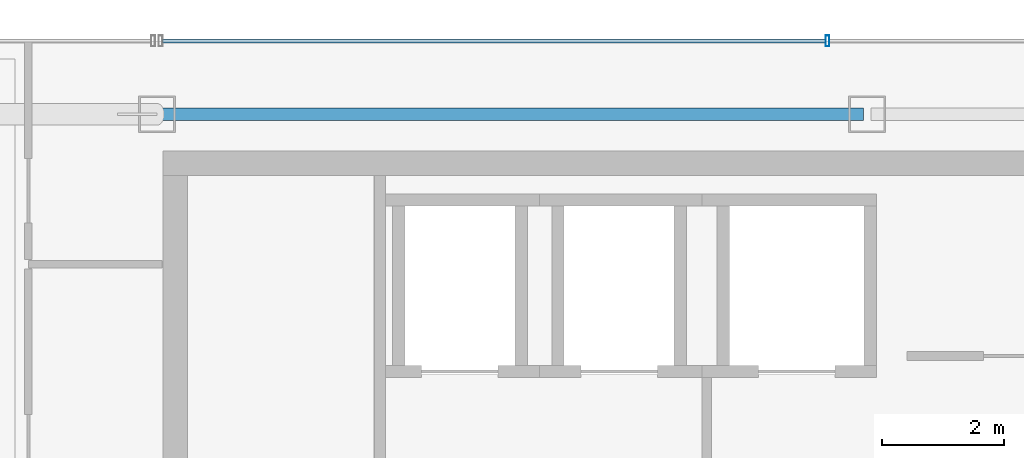
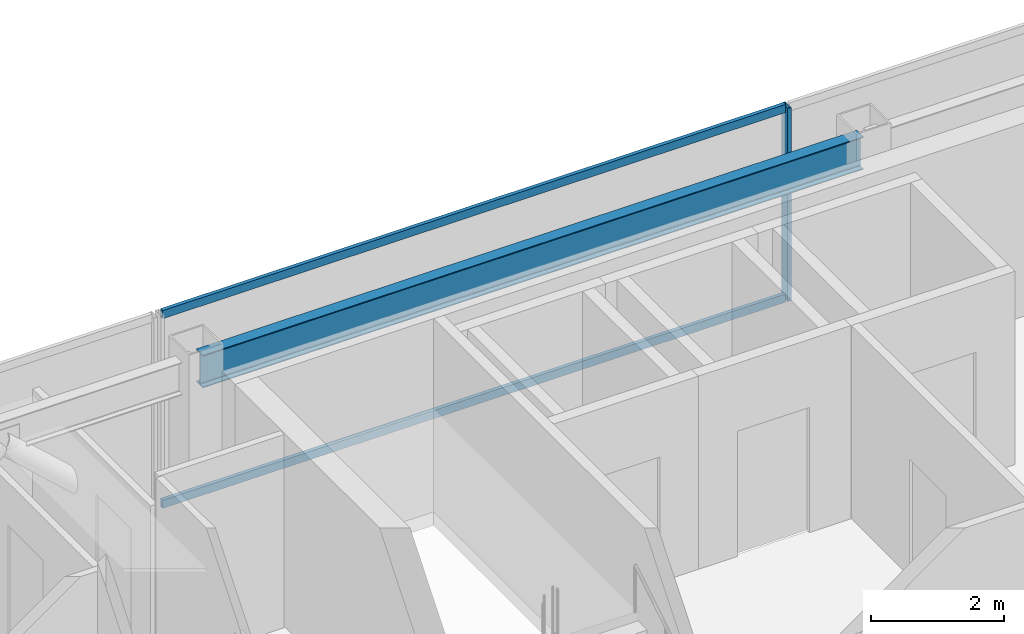
# One storey, part 7 of 20: 3 members, 1 beam, 1 element without a shape of its own.
"""IFC4 building model written with IfcOpenShell, lengths in metres."""

from ifc_helpers import new_model, si_unit, direction, frame, origin, origin_2d, place, context, subcontext, project, spatial, hollow_rectangle, i_section, extrude, material, material_profile, profile_set, type_object, element, aggregate, save


model = new_model("IFC4")

# Units and contexts
model_context = context("Model", 3, precision=1e-05, world=origin(), true_north=direction((0.0, 1.0)))
body_context = subcontext(model_context, "Body", "Model", "MODEL_VIEW")
ifc_project = project(units=[si_unit("LENGTHUNIT", "METRE"), si_unit("AREAUNIT", "SQUARE_METRE"), si_unit("VOLUMEUNIT", "CUBIC_METRE"), si_unit("PLANEANGLEUNIT", "RADIAN"), si_unit("MASSUNIT", "GRAM", prefix="KILO")], contexts=[model_context])

# Site, building, storey
site_placement = place(None, origin())
site = spatial("IfcSite", under=ifc_project, at=site_placement, CompositionType="ELEMENT")
building_placement = place(site_placement, origin())
building = spatial("IfcBuilding", under=site, at=building_placement, Name="Saevonmaru Cultural Tower", CompositionType="ELEMENT")
storey_placement = place(building_placement, frame((0.0, 0.0, 295.199951171875)))
storey = spatial("IfcBuildingStorey", under=building, at=storey_placement, Name="L70", CompositionType="ELEMENT", Elevation=295.199951171875)

# Beam
ifc_material_1 = material(Name="Steel SM355", Category="steel")
ifc_material_profile_1 = material_profile(ifc_material_1, i_section(OverallWidth=0.199951171875, OverallDepth=0.60009765625, WebThickness=0.010986328125, FlangeThickness=0.01708984375, FilletRadius=0.02197265625, at=origin_2d()), Name="H-600x200x11x17")
ifc_profile_set_1 = profile_set([ifc_material_profile_1], Name="Steel SM355")
beam_type = type_object("IfcBeamType", Name="BM-SP-H600", PredefinedType="SPANDREL", material=ifc_profile_set_1)
beam_placement = place(storey_placement, frame((13.659912109375, 54.800048828125, 3.25), z_axis=(1.0, 0.0, 0.0), x_axis=(0.0, 1.0, 0.0)))
element("IfcBeam", 1, at=beam_placement, inside=storey, type_object=beam_type, Name="L70 North Spine Girder 2", PredefinedType="SPANDREL", context=body_context, shape_type="SweptSolid", body=[
    extrude(i_section(OverallWidth=0.199951171875, OverallDepth=0.60009765625, WebThickness=0.010986328125, FlangeThickness=0.01708984375, FilletRadius=0.02197265625, at=origin_2d()), origin(), (0.0, 0.0, 1.0), 11.47998046875),
])

# Curtain wall, members
ifc_material_2 = material(Name="Satin Bronze Anodised Aluminium", Category="aluminium")
curtain_wall_type = type_object("IfcCurtainWallType", Name="CW-TYP-B", PredefinedType="NOTDEFINED", material=ifc_material_2)
curtain_wall_placement = place(storey_placement, origin())
curtain_wall = element("IfcCurtainWall", 2, at=curtain_wall_placement, inside=storey, type_object=curtain_wall_type, Name="L70 North Spine Unitised Curtain Wall E10B", PredefinedType="NOTDEFINED")
ifc_material_profile_2 = material_profile(ifc_material_2, hollow_rectangle(XDim=0.06494140625, YDim=0.179931640625, WallThickness=0.00390625, at=origin_2d()), Name="ALU-MULL-180x65x4")
ifc_profile_set_2 = profile_set([ifc_material_profile_2], Name="Satin Bronze Anodised Aluminium")
member_type_1 = type_object("IfcMemberType", Name="ML-CW-180x65", PredefinedType="MULLION", material=ifc_profile_set_2)
member_1_placement = place(storey_placement, frame((24.55322265625, 56.0, 0.0), z_axis=(0.0, 0.0, 1.0), x_axis=(-1.0, 0.0, 0.0)))
member_1 = element("IfcMember", 3, at=member_1_placement, type_object=member_type_1, Name="CW-TW-L70-E10B mullion 3", PredefinedType="MULLION", context=body_context, shape_type="SweptSolid", body=[
    extrude(hollow_rectangle(XDim=0.06494140625, YDim=0.179931640625, WallThickness=0.00390625, at=origin_2d()), origin(), (0.0, 0.0, 1.0), 3.550048828125),
])
ifc_material_profile_3 = material_profile(ifc_material_2, hollow_rectangle(XDim=0.06494140625, YDim=0.14990234375, WallThickness=0.00390625, at=origin_2d()), Name="ALU-TRAN-150x65x4")
ifc_profile_set_3 = profile_set([ifc_material_profile_3], Name="Satin Bronze Anodised Aluminium")
member_type_2 = type_object("IfcMemberType", Name="TR-CW-150x65", PredefinedType="USERDEFINED", material=ifc_profile_set_3)
member_2_placement = place(storey_placement, frame((24.520751953125, 56.0, 0.032470703125), z_axis=(-1.0, 0.0, 0.0), x_axis=(0.0, -1.0, 0.0)))
member_2 = element("IfcMember", 4, at=member_2_placement, type_object=member_type_2, Name="CW-TW-L70-E10B transom 3.1", ObjectType="TRANSOM", PredefinedType="USERDEFINED", context=body_context, shape_type="SweptSolid", body=[
    extrude(hollow_rectangle(XDim=0.06494140625, YDim=0.14990234375, WallThickness=0.00390625, at=origin_2d()), origin(), (0.0, 0.0, 1.0), 10.828369140625),
])
member_3_placement = place(storey_placement, frame((24.520751953125, 56.0, 3.517578125), z_axis=(-1.0, 0.0, 0.0), x_axis=(0.0, -1.0, 0.0)))
member_3 = element("IfcMember", 5, at=member_3_placement, type_object=member_type_2, Name="CW-TW-L70-E10B transom 3.2", ObjectType="TRANSOM", PredefinedType="USERDEFINED", context=body_context, shape_type="SweptSolid", body=[
    extrude(hollow_rectangle(XDim=0.06494140625, YDim=0.14990234375, WallThickness=0.00390625, at=origin_2d()), origin(), (0.0, 0.0, 1.0), 10.828369140625),
])
aggregate(curtain_wall, [member_1, member_2, member_3])

save(model, "model.ifc")
